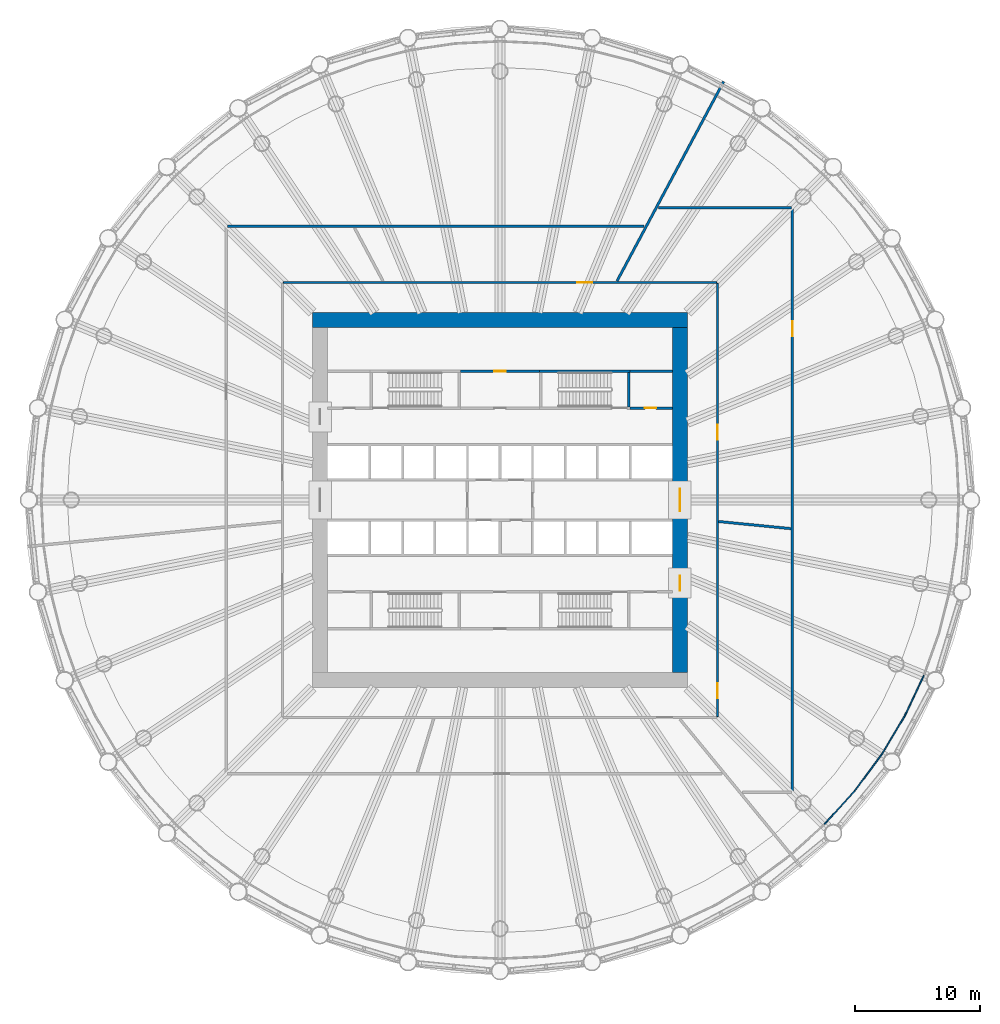
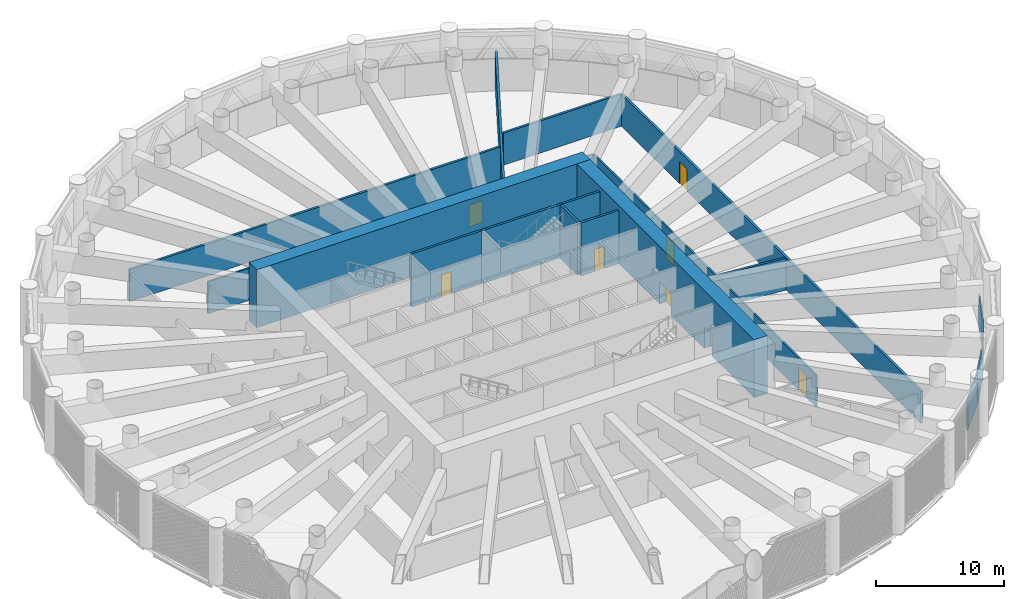
# One storey, part 10 of 26: 18 walls, 8 doors, 8 openings.
"""IFC4 building model written with IfcOpenShell, lengths in metres."""

from ifc_helpers import new_model, si_unit, direction, frame, frame_2d, origin, place, context, subcontext, project, spatial, polyline, rectangle, outline, extrude, material, layer, layer_set, type_object, element, fill, save


model = new_model("IFC4")

# Units and contexts
model_context = context("Model", 3, precision=1e-05, world=origin(), true_north=direction((0.0, 1.0)))
body_context = subcontext(model_context, "Body", "Model", "MODEL_VIEW")
ifc_project = project(units=[si_unit("LENGTHUNIT", "METRE"), si_unit("AREAUNIT", "SQUARE_METRE"), si_unit("VOLUMEUNIT", "CUBIC_METRE"), si_unit("PLANEANGLEUNIT", "RADIAN"), si_unit("MASSUNIT", "GRAM", prefix="KILO")], contexts=[model_context])

# Site, building, storey
site_placement = place(None, origin())
site = spatial("IfcSite", under=ifc_project, at=site_placement, CompositionType="ELEMENT")
building_placement = place(site_placement, origin())
building = spatial("IfcBuilding", under=site, at=building_placement, Name="Corvane Civic Tower", CompositionType="ELEMENT")
storey_placement = place(building_placement, frame((0.0, 0.0, 85.0)))
storey = spatial("IfcBuildingStorey", under=building, at=storey_placement, Name="L19", CompositionType="ELEMENT", Elevation=85.0)

# Wall
ifc_material_1 = material(Name="Concrete C80/95", Category="concrete")
ifc_layer_1 = layer(ifc_material_1, 1.199951171875)
ifc_layer_set_1 = layer_set([ifc_layer_1], Name="Concrete C80/95")
wall_type_1 = type_object("IfcWallType", Name="CORE WALL 1200 C80/95", PredefinedType="SHEAR", material=ifc_layer_set_1)
wall_1_placement = place(storey_placement, frame((-15.0, 14.39990234375, 0.0), z_axis=(0.0, 0.0, 1.0), x_axis=(1.0, 0.0, 0.0)))
element("IfcWall", 1, at=wall_1_placement, inside=storey, type_object=wall_type_1, Name="W-L19-core-N", PredefinedType="SHEAR", context=body_context, shape_type="SweptSolid", body=[
    extrude(rectangle(XDim=30.0, YDim=1.199951171875, at=frame_2d((15.0, 0.0))), origin(), (0.0, 0.0, 1.0), 5.5),
])

# Wall, openings, doors
wall_2_placement = place(storey_placement, frame((14.39990234375, -13.800048828125, 0.0), z_axis=(0.0, 0.0, 1.0), x_axis=(0.0, 1.0, 0.0)))
wall_2 = element("IfcWall", 2, at=wall_2_placement, inside=storey, type_object=wall_type_1, Name="W-L19-core-E", PredefinedType="SHEAR", context=body_context, shape_type="SweptSolid", body=[
    extrude(rectangle(XDim=27.60009765625, YDim=1.199951171875, at=frame_2d((13.800048828125, 0.0))), origin(), (0.0, 0.0, 1.0), 5.5),
])
opening_1_placement = place(wall_2_placement, frame((12.89990234375, 0.0, 0.0)))
opening_1 = element("IfcOpeningElement", 3, at=opening_1_placement, cuts=wall_2, Name="Opening L19.C17", PredefinedType="OPENING", context=body_context, shape_type="SweptSolid", body=[
    extrude(rectangle(XDim=1.800048828125, YDim=2.10009765625, at=frame_2d((0.89990234375, 1.050048828125))), frame((0.0, 0.60986328125, 0.0), z_axis=(0.0, -1.0, 0.0), x_axis=(1.0, 0.0, 0.0)), (0.0, 0.0, 1.0), 1.219970703125),
])
opening_2_placement = place(wall_2_placement, frame((6.550048828125, 0.0, 0.0)))
opening_2 = element("IfcOpeningElement", 4, at=opening_2_placement, cuts=wall_2, Name="Opening L19.C19", PredefinedType="OPENING", context=body_context, shape_type="SweptSolid", body=[
    extrude(rectangle(XDim=1.199951171875, YDim=2.10009765625, at=frame_2d((0.60009765625, 1.050048828125))), frame((0.0, 0.60986328125, 0.0), z_axis=(0.0, -1.0, 0.0), x_axis=(1.0, 0.0, 0.0)), (0.0, 0.0, 1.0), 1.219970703125),
])
ifc_material_2 = material(Name="Steel fire door leaf", Category="steel")
door_type_1 = type_object("IfcDoorType", Name="CR-DOOR-CORE-1800", OperationType="DOUBLE_DOOR_SINGLE_SWING", PredefinedType="DOOR", material=ifc_material_2)
door_1_placement = place(opening_1_placement, origin())
door_1 = element("IfcDoor", 5, at=door_1_placement, inside=storey, type_object=door_type_1, Name="L19 door", OperationType="DOUBLE_DOOR_SINGLE_SWING", OverallHeight=2.10009765625, OverallWidth=1.800048828125, PredefinedType="DOOR", context=body_context, shape_type="SweptSolid", body=[
    extrude(rectangle(XDim=1.800048828125, YDim=2.10009765625, at=frame_2d((0.89990234375, 1.050048828125))), frame((0.0, 0.02490234375, 0.0), z_axis=(0.0, -1.0, 0.0), x_axis=(1.0, 0.0, 0.0)), (0.0, 0.0, 1.0), 0.050048828125),
])
fill(opening_1, door_1)
door_2_placement = place(opening_2_placement, origin())
door_2 = element("IfcDoor", 6, at=door_2_placement, inside=storey, type_object=door_type_1, Name="L19 door", OperationType="DOUBLE_DOOR_SINGLE_SWING", OverallHeight=2.10009765625, OverallWidth=1.199951171875, PredefinedType="DOOR", context=body_context, shape_type="SweptSolid", body=[
    extrude(rectangle(XDim=1.199951171875, YDim=2.10009765625, at=frame_2d((0.60009765625, 1.050048828125))), frame((0.0, 0.02490234375, 0.0), z_axis=(0.0, -1.0, 0.0), x_axis=(1.0, 0.0, 0.0)), (0.0, 0.0, 1.0), 0.050048828125),
])
fill(opening_2, door_2)

# Wall, opening, door
ifc_material_3 = material(Name="Concrete C30/37", Category="concrete")
ifc_layer_2 = layer(ifc_material_3, 0.199951171875)
ifc_layer_set_2 = layer_set([ifc_layer_2], Name="Concrete C30/37")
wall_type_2 = type_object("IfcWallType", Name="CR-WALL-200", PredefinedType="PARTITIONING", material=ifc_layer_set_2)
wall_3_placement = place(storey_placement, frame((10.39990234375, 7.35009765625, 0.0), z_axis=(0.0, 0.0, 1.0), x_axis=(1.0, 0.0, 0.0)))
wall_3 = element("IfcWall", 7, at=wall_3_placement, inside=storey, type_object=wall_type_2, Name="L19 core partition wall", PredefinedType="PARTITIONING", context=body_context, shape_type="SweptSolid", body=[
    extrude(rectangle(XDim=3.400146484375, YDim=0.199951171875, at=frame_2d((1.7001953125, 0.0))), origin(), (0.0, 0.0, 1.0), 5.050048828125),
])
opening_3_placement = place(wall_3_placement, frame((1.199951171875, 0.0, 0.0)))
opening_3 = element("IfcOpeningElement", 8, at=opening_3_placement, cuts=wall_3, Name="Opening L19.C08", PredefinedType="OPENING", context=body_context, shape_type="SweptSolid", body=[
    extrude(rectangle(XDim=0.89990234375, YDim=2.10009765625, at=frame_2d((0.449951171875, 1.050048828125))), frame((0.0, 0.10986328125, 0.0), z_axis=(0.0, -1.0, 0.0), x_axis=(1.0, 0.0, 0.0)), (0.0, 0.0, 1.0), 0.219970703125),
])
ifc_material_4 = material(Name="Steel fire door leaf", Category="steel")
door_type_2 = type_object("IfcDoorType", Name="CR-DOOR-900", OperationType="SINGLE_SWING_LEFT", PredefinedType="DOOR", material=ifc_material_4)
door_3_placement = place(opening_3_placement, origin())
door_3 = element("IfcDoor", 9, at=door_3_placement, inside=storey, type_object=door_type_2, Name="L19 door", OperationType="SINGLE_SWING_LEFT", OverallHeight=2.10009765625, OverallWidth=0.89990234375, PredefinedType="DOOR", context=body_context, shape_type="SweptSolid", body=[
    extrude(rectangle(XDim=0.89990234375, YDim=2.10009765625, at=frame_2d((0.449951171875, 1.050048828125))), frame((0.0, 0.02490234375, 0.0), z_axis=(0.0, -1.0, 0.0), x_axis=(1.0, 0.0, 0.0)), (0.0, 0.0, 1.0), 0.050048828125),
])
fill(opening_3, door_3)

wall_4_placement = place(storey_placement, frame((-3.14990234375, 10.300048828125, 0.0), z_axis=(0.0, 0.0, 1.0), x_axis=(1.0, 0.0, 0.0)))
wall_4 = element("IfcWall", 10, at=wall_4_placement, inside=storey, type_object=wall_type_2, Name="L19 partition wall", PredefinedType="PARTITIONING", context=body_context, shape_type="SweptSolid", body=[
    extrude(rectangle(XDim=6.2998046875, YDim=0.199951171875, at=frame_2d((3.14990234375, 0.0))), origin(), (0.0, 0.0, 1.0), 5.050048828125),
])
opening_4_placement = place(wall_4_placement, frame((2.699951171875, 0.0, 0.0)))
opening_4 = element("IfcOpeningElement", 11, at=opening_4_placement, cuts=wall_4, Name="Opening L19.C04", PredefinedType="OPENING", context=body_context, shape_type="SweptSolid", body=[
    extrude(rectangle(XDim=0.89990234375, YDim=2.10009765625, at=frame_2d((0.449951171875, 1.050048828125))), frame((0.0, 0.10986328125, 0.0), z_axis=(0.0, -1.0, 0.0), x_axis=(1.0, 0.0, 0.0)), (0.0, 0.0, 1.0), 0.219970703125),
])
door_4_placement = place(opening_4_placement, origin())
door_4 = element("IfcDoor", 12, at=door_4_placement, inside=storey, type_object=door_type_2, Name="L19 door", OperationType="SINGLE_SWING_LEFT", OverallHeight=2.10009765625, OverallWidth=0.89990234375, PredefinedType="DOOR", context=body_context, shape_type="SweptSolid", body=[
    extrude(rectangle(XDim=0.89990234375, YDim=2.10009765625, at=frame_2d((0.449951171875, 1.050048828125))), frame((0.0, 0.02490234375, 0.0), z_axis=(0.0, -1.0, 0.0), x_axis=(1.0, 0.0, 0.0)), (0.0, 0.0, 1.0), 0.050048828125),
])
fill(opening_4, door_4)

# Walls
wall_5_placement = place(storey_placement, origin())
element("IfcWall", 13, at=wall_5_placement, inside=storey, type_object=wall_type_2, Name="L19 core partition wall", PredefinedType="PARTITIONING", context=body_context, shape_type="SweptSolid", body=[
    extrude(outline(polyline([(10.39990234375, 10.199951171875), (10.39990234375, 10.39990234375), (13.800048828125, 10.39990234375), (13.800048828125, 10.199951171875), (10.39990234375, 10.199951171875)])), origin(), (0.0, 0.0, 1.0), 5.050048828125),
])
ifc_material_5 = material(Name="Plasterboard")
ifc_layer_3 = layer(ifc_material_5, 0.10009765625)
ifc_layer_set_3 = layer_set([ifc_layer_3], Name="Plasterboard")
wall_type_3 = type_object("IfcWallType", Name="Partition 100 plasterboard on studs", PredefinedType="PARTITIONING", material=ifc_layer_set_3)
wall_6_placement = place(storey_placement, frame((25.949951171875, -25.949951171875, 0.0), z_axis=(0.0, 0.0, 1.0), x_axis=(0.671545014359, 0.740963760038, 0.0)))
element("IfcWall", 14, at=wall_6_placement, inside=storey, type_object=wall_type_3, Name="Partition L19.066", PredefinedType="PARTITIONING", context=body_context, shape_type="SweptSolid", body=[
    extrude(rectangle(XDim=3.601318359375, YDim=0.10009765625, at=frame_2d((1.80078125, 0.0))), origin(), (0.0, 0.0, 1.0), 3.050048828125),
])
for number, where, z_axis, x_axis, name in (
    (15, (28.368408203125, -23.281494140625, 0.0), (0.0, 0.0, 1.0), (0.595707293286, 0.803201606526, 0.0), "Partition L19.068"),
    (16, (30.513916015625, -20.388671875, 0.0), (0.0, 0.0, 1.0), (0.514106916367, 0.857726109282, 0.0), "Partition L19.070"),
):
    element("IfcWall", number, at=place(storey_placement, frame(where, z_axis=z_axis, x_axis=x_axis)), inside=storey, type_object=wall_type_3, Name=name, PredefinedType="PARTITIONING", context=body_context, shape_type="SweptSolid", body=[
        extrude(rectangle(XDim=3.6015625, YDim=0.10009765625, at=frame_2d((1.80078125, 0.0))), origin(), (0.0, 0.0, 1.0), 3.050048828125),
    ])
wall_7_placement = place(storey_placement, frame((32.365478515625, -17.299560546875, 0.0), z_axis=(0.0, 0.0, 1.0), x_axis=(0.427555908533, 0.903988907608, 0.0)))
element("IfcWall", 17, at=wall_7_placement, inside=storey, type_object=wall_type_3, Name="Partition L19.072", PredefinedType="PARTITIONING", context=body_context, shape_type="SweptSolid", body=[
    extrude(rectangle(XDim=3.601318359375, YDim=0.10009765625, at=frame_2d((1.80078125, 0.0))), origin(), (0.0, 0.0, 1.0), 3.050048828125),
])

# Wall, opening, door
ifc_material_6 = material(Name="Gypsum fibreboard")
ifc_layer_4 = layer(ifc_material_6, 0.199951171875)
ifc_layer_set_4 = layer_set([ifc_layer_4], Name="Gypsum fibreboard")
wall_type_4 = type_object("IfcWallType", Name="Plant and refuge wall 200 EI 120", PredefinedType="PARTITIONING", material=ifc_layer_set_4)
wall_8_placement = place(storey_placement, frame((23.39990234375, -23.300048828125, 0.0), z_axis=(0.0, 0.0, 1.0), x_axis=(0.0, 1.0, 0.0)))
wall_8 = element("IfcWall", 18, at=wall_8_placement, inside=storey, type_object=wall_type_4, Name="Partition L19.003", PredefinedType="PARTITIONING", context=body_context, shape_type="SweptSolid", body=[
    extrude(rectangle(XDim=46.60009765625, YDim=0.199951171875, at=frame_2d((23.300048828125, 0.0))), origin(), (0.0, 0.0, 1.0), 3.050048828125),
])
opening_5_placement = place(wall_8_placement, frame((36.403076171875, 0.0, 0.0)))
opening_5 = element("IfcOpeningElement", 19, at=opening_5_placement, cuts=wall_8, Name="Opening L19.007", PredefinedType="OPENING", context=body_context, shape_type="SweptSolid", body=[
    extrude(rectangle(XDim=1.199951171875, YDim=2.10009765625, at=frame_2d((0.60009765625, 1.050048828125))), frame((0.0, 0.10986328125, 0.0), z_axis=(0.0, -1.0, 0.0), x_axis=(1.0, 0.0, 0.0)), (0.0, 0.0, 1.0), 0.219970703125),
])
ifc_material_7 = material(Name="Steel and timber", Category="steel")
door_type_3 = type_object("IfcDoorType", Name="Fire door FD60 1200", OperationType="NOTDEFINED", PredefinedType="DOOR", material=ifc_material_7)
door_5_placement = place(opening_5_placement, frame((1.199951171875, 0.0, 0.0), z_axis=(0.0, 0.0, 1.0), x_axis=(-1.0, 0.0, 0.0)))
door_5 = element("IfcDoor", 20, at=door_5_placement, inside=storey, type_object=door_type_3, Name="Door L19.007", OperationType="SINGLE_SWING_LEFT", OverallHeight=2.10009765625, OverallWidth=1.199951171875, PredefinedType="DOOR", context=body_context, shape_type="SweptSolid", body=[
    extrude(rectangle(XDim=1.199951171875, YDim=2.10009765625, at=frame_2d((0.60009765625, 1.050048828125))), frame((0.0, 0.02490234375, 0.0), z_axis=(0.0, -1.0, 0.0), x_axis=(1.0, 0.0, 0.0)), (0.0, 0.0, 1.0), 0.050048828125),
])
fill(opening_5, door_5)

# Walls
wall_9_placement = place(storey_placement, frame((17.48486328125, -1.72216796875, 0.0), z_axis=(0.0, 0.0, 1.0), x_axis=(0.995184837225, -0.098016017864, 0.0)))
element("IfcWall", 21, at=wall_9_placement, inside=storey, type_object=wall_type_4, Name="Partition L19.011", PredefinedType="PARTITIONING", context=body_context, shape_type="SweptSolid", body=[
    extrude(rectangle(XDim=5.83349609375, YDim=0.199951171875, at=frame_2d((2.916748046875, 0.0))), origin(), (0.0, 0.0, 1.0), 3.050048828125),
])
wall_10_placement = place(storey_placement, frame((9.36572265625, 17.522216796875, 0.0), z_axis=(0.0, 0.0, 1.0), x_axis=(0.471405155096, 0.881916764638, 0.0)))
element("IfcWall", 22, at=wall_10_placement, inside=storey, type_object=wall_type_4, Name="Partition L19.015", PredefinedType="PARTITIONING", context=body_context, shape_type="SweptSolid", body=[
    extrude(rectangle(XDim=18.08203125, YDim=0.199951171875, at=frame_2d((9.041015625, 0.0))), origin(), (0.0, 0.0, 1.0), 3.050048828125),
])
wall_11_placement = place(storey_placement, frame((-21.800048828125, 21.89990234375, 0.0), z_axis=(0.0, 0.0, 1.0), x_axis=(1.0, 0.0, 0.0)))
element("IfcWall", 23, at=wall_11_placement, inside=storey, type_object=wall_type_4, Name="Partition L19.016", PredefinedType="PARTITIONING", context=body_context, shape_type="SweptSolid", body=[
    extrude(rectangle(XDim=33.339111328125, YDim=0.199951171875, at=frame_2d((16.66943359375, 0.0))), origin(), (0.0, 0.0, 1.0), 3.050048828125),
])
wall_12_placement = place(storey_placement, frame((12.67431640625, 23.39990234375, 0.0), z_axis=(0.0, 0.0, 1.0), x_axis=(1.0, 0.0, 0.0)))
element("IfcWall", 24, at=wall_12_placement, inside=storey, type_object=wall_type_4, Name="Partition L19.017", PredefinedType="PARTITIONING", context=body_context, shape_type="SweptSolid", body=[
    extrude(rectangle(XDim=10.625732421875, YDim=0.199951171875, at=frame_2d((5.31298828125, 0.0))), origin(), (0.0, 0.0, 1.0), 3.050048828125),
])
ifc_material_8 = material(Name="Concrete C50/60", Category="concrete")
ifc_layer_5 = layer(ifc_material_8, 0.199951171875)
ifc_layer_set_5 = layer_set([ifc_layer_5], Name="Concrete C50/60")
wall_type_5 = type_object("IfcWallType", Name="ST-WALL-200", PredefinedType="SHEAR", material=ifc_layer_set_5)
wall_13_placement = place(storey_placement, origin())
element("IfcWall", 25, at=wall_13_placement, inside=storey, type_object=wall_type_5, Name="L19 stair enclosure wall", PredefinedType="SHEAR", context=body_context, shape_type="SweptSolid", body=[
    extrude(outline(polyline([(10.39990234375, 10.199951171875), (3.14990234375, 10.199951171875), (3.14990234375, 10.39990234375), (10.39990234375, 10.39990234375), (10.39990234375, 10.199951171875)])), origin(), (0.0, 0.0, 1.0), 5.050048828125),
])
wall_14_placement = place(storey_placement, origin())
element("IfcWall", 26, at=wall_14_placement, inside=storey, type_object=wall_type_5, Name="L19 stair enclosure wall", PredefinedType="SHEAR", context=body_context, shape_type="SweptSolid", body=[
    extrude(outline(polyline([(10.39990234375, 7.449951171875), (10.199951171875, 7.449951171875), (10.199951171875, 10.199951171875), (10.39990234375, 10.199951171875), (10.39990234375, 7.449951171875)])), origin(), (0.0, 0.0, 1.0), 5.050048828125),
])

# Wall, openings, doors
ifc_material_9 = material(Name="Plasterboard")
ifc_layer_6 = layer(ifc_material_9, 0.14990234375)
ifc_layer_set_6 = layer_set([ifc_layer_6], Name="Plasterboard")
wall_type_6 = type_object("IfcWallType", Name="Tenancy wall 150 EI 60", PredefinedType="PARTITIONING", material=ifc_layer_set_6)
wall_15_placement = place(storey_placement, frame((17.39990234375, -17.324951171875, 0.0), z_axis=(0.0, 0.0, 1.0), x_axis=(0.0, 1.0, 0.0)))
wall_15 = element("IfcWall", 27, at=wall_15_placement, inside=storey, type_object=wall_type_6, Name="Partition L19.009", PredefinedType="PARTITIONING", context=body_context, shape_type="SweptSolid", body=[
    extrude(rectangle(XDim=34.64990234375, YDim=0.14990234375, at=frame_2d((17.324951171875, 0.0))), origin(), (0.0, 0.0, 1.0), 3.050048828125),
])
opening_6_placement = place(wall_15_placement, frame((22.155029296875, 0.0, 0.0)))
opening_6 = element("IfcOpeningElement", 28, at=opening_6_placement, cuts=wall_15, Name="Opening L19.008", PredefinedType="OPENING", context=body_context, shape_type="SweptSolid", body=[
    extrude(rectangle(XDim=1.199951171875, YDim=2.10009765625, at=frame_2d((0.60009765625, 1.050048828125))), frame((0.0, 0.0849609375, 0.0), z_axis=(0.0, -1.0, 0.0), x_axis=(1.0, 0.0, 0.0)), (0.0, 0.0, 1.0), 0.169921875),
])
opening_7_placement = place(wall_15_placement, frame((1.4755859375, 0.0, 0.0)))
opening_7 = element("IfcOpeningElement", 29, at=opening_7_placement, cuts=wall_15, Name="Opening L19.009", PredefinedType="OPENING", context=body_context, shape_type="SweptSolid", body=[
    extrude(rectangle(XDim=1.199951171875, YDim=2.10009765625, at=frame_2d((0.60009765625, 1.050048828125))), frame((0.0, 0.0849609375, 0.0), z_axis=(0.0, -1.0, 0.0), x_axis=(1.0, 0.0, 0.0)), (0.0, 0.0, 1.0), 0.169921875),
])
door_6_placement = place(opening_6_placement, frame((1.199951171875, 0.0, 0.0), z_axis=(0.0, 0.0, 1.0), x_axis=(-1.0, 0.0, 0.0)))
door_6 = element("IfcDoor", 30, at=door_6_placement, inside=storey, type_object=door_type_3, Name="Door L19.008", OperationType="SINGLE_SWING_RIGHT", OverallHeight=2.10009765625, OverallWidth=1.199951171875, PredefinedType="DOOR", context=body_context, shape_type="SweptSolid", body=[
    extrude(rectangle(XDim=1.199951171875, YDim=2.10009765625, at=frame_2d((0.60009765625, 1.050048828125))), frame((0.0, 0.02490234375, 0.0), z_axis=(0.0, -1.0, 0.0), x_axis=(1.0, 0.0, 0.0)), (0.0, 0.0, 1.0), 0.050048828125),
])
fill(opening_6, door_6)
door_7_placement = place(opening_7_placement, frame((1.199951171875, 0.0, 0.0), z_axis=(0.0, 0.0, 1.0), x_axis=(-1.0, 0.0, 0.0)))
door_7 = element("IfcDoor", 31, at=door_7_placement, inside=storey, type_object=door_type_3, Name="Door L19.009", OperationType="SINGLE_SWING_LEFT", OverallHeight=2.10009765625, OverallWidth=1.199951171875, PredefinedType="DOOR", context=body_context, shape_type="SweptSolid", body=[
    extrude(rectangle(XDim=1.199951171875, YDim=2.10009765625, at=frame_2d((0.60009765625, 1.050048828125))), frame((0.0, 0.02490234375, 0.0), z_axis=(0.0, -1.0, 0.0), x_axis=(1.0, 0.0, 0.0)), (0.0, 0.0, 1.0), 0.050048828125),
])
fill(opening_7, door_7)

# Wall, opening, door
wall_16_placement = place(storey_placement, frame((-17.324951171875, 17.39990234375, 0.0), z_axis=(0.0, 0.0, 1.0), x_axis=(1.0, 0.0, 0.0)))
wall_16 = element("IfcWall", 32, at=wall_16_placement, inside=storey, type_object=wall_type_6, Name="Partition L19.013", PredefinedType="PARTITIONING", context=body_context, shape_type="SweptSolid", body=[
    extrude(rectangle(XDim=34.64990234375, YDim=0.14990234375, at=frame_2d((17.324951171875, 0.0))), origin(), (0.0, 0.0, 1.0), 3.050048828125),
])
opening_8_placement = place(wall_16_placement, frame((23.5048828125, 0.0, 0.0)))
opening_8 = element("IfcOpeningElement", 33, at=opening_8_placement, cuts=wall_16, Name="Opening L19.006", PredefinedType="OPENING", context=body_context, shape_type="SweptSolid", body=[
    extrude(rectangle(XDim=1.199951171875, YDim=2.10009765625, at=frame_2d((0.60009765625, 1.050048828125))), frame((0.0, 0.0849609375, 0.0), z_axis=(0.0, -1.0, 0.0), x_axis=(1.0, 0.0, 0.0)), (0.0, 0.0, 1.0), 0.169921875),
])
door_8_placement = place(opening_8_placement, origin())
door_8 = element("IfcDoor", 34, at=door_8_placement, inside=storey, type_object=door_type_3, Name="Door L19.006", OperationType="SINGLE_SWING_LEFT", OverallHeight=2.10009765625, OverallWidth=1.199951171875, PredefinedType="DOOR", context=body_context, shape_type="SweptSolid", body=[
    extrude(rectangle(XDim=1.199951171875, YDim=2.10009765625, at=frame_2d((0.60009765625, 1.050048828125))), frame((0.0, 0.02490234375, 0.0), z_axis=(0.0, -1.0, 0.0), x_axis=(1.0, 0.0, 0.0)), (0.0, 0.0, 1.0), 0.050048828125),
])
fill(opening_8, door_8)

save(model, "model.ifc")
